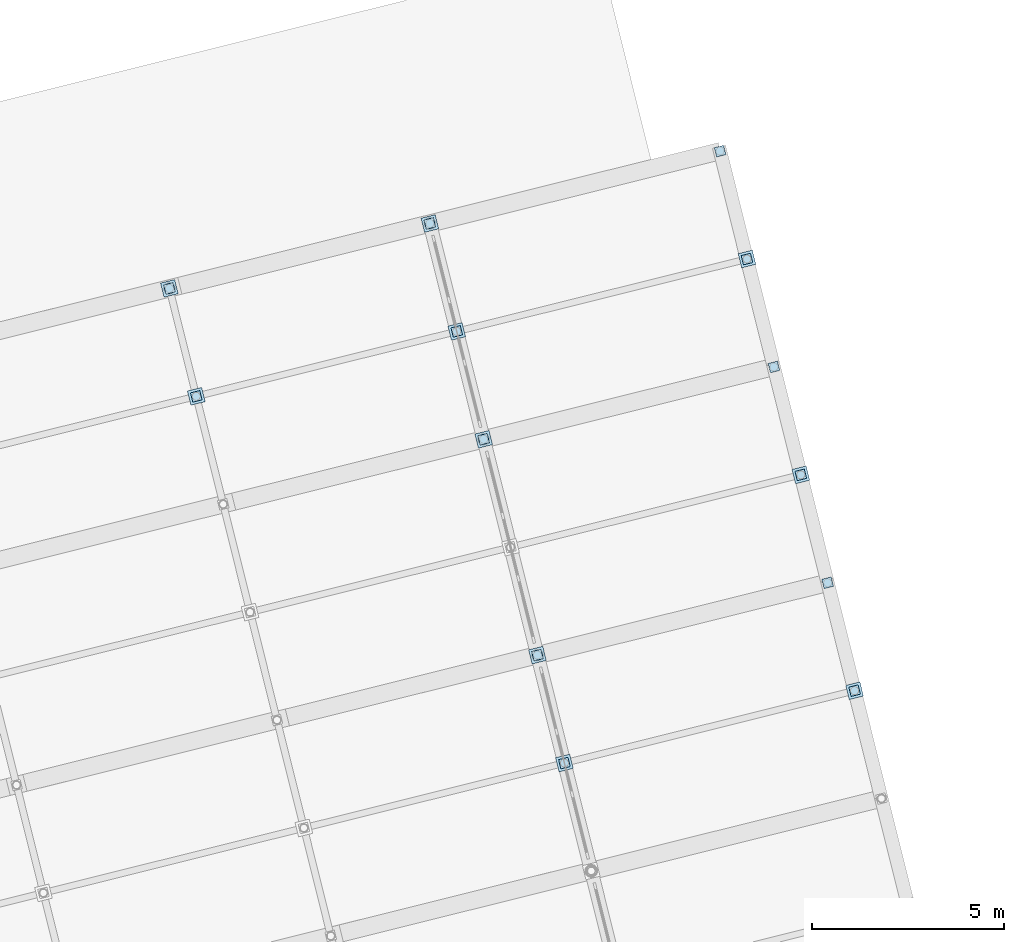
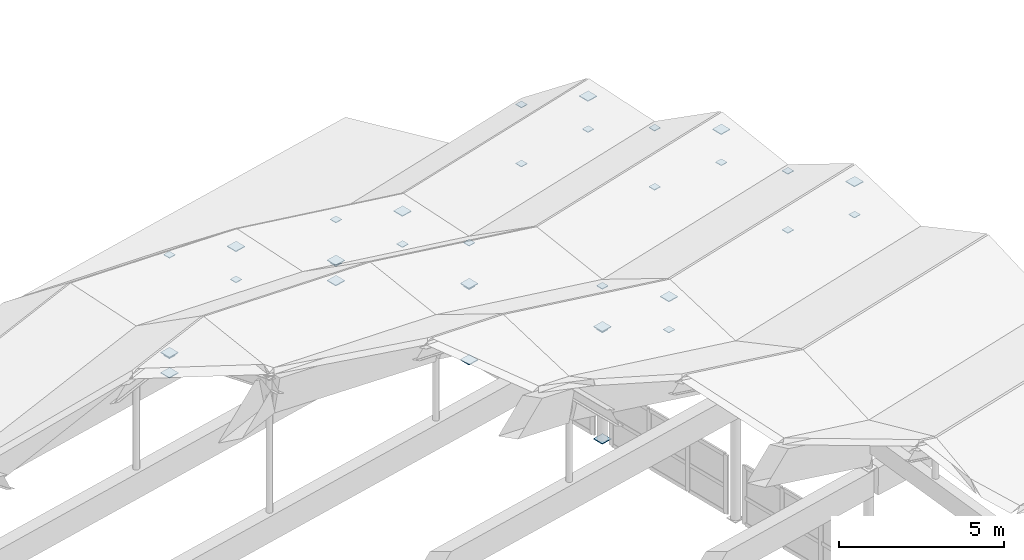
# One storey, part 60 of 65: 34 plates.
"""IFC4 building model written with IfcOpenShell, lengths in metres."""

from ifc_helpers import new_model, si_unit, direction, frame, origin, origin_2d, place, context, subcontext, project, spatial, rectangle, extrude, material, layer, layer_set, type_object, element, save


model = new_model("IFC4")

# Units and contexts
model_context = context("Model", 3, precision=1e-05, world=origin(), true_north=direction((0.0, 1.0)))
body_context = subcontext(model_context, "Body", "Model", "MODEL_VIEW")
ifc_project = project(units=[si_unit("LENGTHUNIT", "METRE"), si_unit("AREAUNIT", "SQUARE_METRE"), si_unit("VOLUMEUNIT", "CUBIC_METRE"), si_unit("PLANEANGLEUNIT", "RADIAN"), si_unit("MASSUNIT", "GRAM", prefix="KILO")], contexts=[model_context])

# Site, building, storey
site_placement = place(None, origin())
site = spatial("IfcSite", under=ifc_project, at=site_placement, CompositionType="ELEMENT")
building_placement = place(site_placement, origin())
building = spatial("IfcBuilding", under=site, at=building_placement, Name="Cinderway Yard Community Centre", CompositionType="ELEMENT")
storey_placement = place(building_placement, frame((0.0, 0.0, 24.300048828125)))
storey = spatial("IfcBuildingStorey", under=building, at=storey_placement, Name="RF", CompositionType="ELEMENT", Elevation=24.300048828125)

# Plates
ifc_material = material(Name="Steel S355", Category="steel")
ifc_layer_1 = layer(ifc_material, 0.02197265625, Name="Steel S355")
ifc_layer_set_1 = layer_set([ifc_layer_1], Name="Steel S355")
plate_type_1 = type_object("IfcPlateType", Name="STR-PLT-CAP240", PredefinedType="SHEET", material=ifc_layer_set_1)
for number, where, z_axis, x_axis, name in (
    (1, (39.9619140625, 60.029052734375, -7.367919921875), (0.0, 0.0, 1.0), (0.970295726276, 0.2419218956, 0.0), "Web base plate 41"),
    (2, (39.9619140625, 60.029052734375, -5.758056640625), (0.0, 0.0, 1.0), (0.970295726276, 0.2419218956, 0.0), "Web top plate 41"),
    (3, (47.530029296875, 61.916015625, -7.488037109375), (0.0, 0.0, 1.0), (0.970295726276, 0.2419218956, 0.0), "Web base plate 42"),
    (4, (47.530029296875, 61.916015625, -5.30810546875), (0.0, 0.0, 1.0), (0.970295726276, 0.2419218956, 0.0), "Web top plate 42"),
    (5, (38.55908203125, 65.656982421875, -8.697021484375), (0.0, 0.0, 1.0), (0.970295726276, 0.2419218956, 0.0), "Web base plate 48"),
    (6, (38.55908203125, 65.656982421875, -7.0869140625), (0.0, 0.0, 1.0), (0.970295726276, 0.2419218956, 0.0), "Web top plate 48"),
    (7, (46.126953125, 67.5439453125, -8.817138671875), (0.0, 0.0, 1.0), (0.970295726276, 0.2419218956, 0.0), "Web base plate 49"),
    (8, (46.126953125, 67.5439453125, -6.636962890625), (0.0, 0.0, 1.0), (0.970295726276, 0.2419218956, 0.0), "Web top plate 49"),
    (9, (30.364013671875, 69.591064453125, -10.760986328125), (0.0, 0.0, 1.0), (0.970295726276, 0.2419218956, 0.0), "Web base plate 54"),
    (10, (30.364013671875, 69.591064453125, -7.051025390625), (0.0, 0.0, 1.0), (0.970295726276, 0.2419218956, 0.0), "Web top plate 54"),
    (11, (37.156005859375, 71.284912109375, -10.760986328125), (0.0, 0.0, 1.0), (0.970295726276, 0.2419218956, 0.0), "Web base plate 55"),
    (12, (37.156005859375, 71.284912109375, -9.151123046875), (0.0, 0.0, 1.0), (0.970295726276, 0.2419218956, 0.0), "Web top plate 55"),
    (13, (44.72412109375, 73.172119140625, -10.881103515625), (0.0, 0.0, 1.0), (0.970295726276, 0.2419218956, 0.0), "Web base plate 56"),
    (14, (44.72412109375, 73.172119140625, -8.700927734375), (0.0, 0.0, 1.0), (0.970295726276, 0.2419218956, 0.0), "Web top plate 56"),
    (15, (40.6640625, 57.215087890625, -5.912109375), (0.0, 0.0, 1.0), (0.970295726276, 0.2419218956, 0.0), "Kingpost base plate B5-U28"),
    (16, (48.23193359375, 59.10205078125, -5.4619140625), (0.0, 0.0, 1.0), (0.970295726276, 0.2419218956, 0.0), "Kingpost base plate B5-U36"),
    (17, (46.8291015625, 64.72998046875, -6.453125), (0.0, 0.0, 1.0), (0.970295726276, 0.2419218956, 0.0), "Kingpost base plate B6-U36"),
    (18, (31.06494140625, 66.777099609375, -6.4990234375), (0.0, 0.0, 1.0), (0.970295726276, 0.2419218956, 0.0), "Kingpost base plate B7-U21"),
    (19, (37.85693359375, 68.470947265625, -8.59912109375), (0.0, 0.0, 1.0), (0.970295726276, 0.2419218956, 0.0), "Kingpost base plate B7-U28"),
    (20, (45.426025390625, 70.35791015625, -8.14892578125), (0.0, 0.0, 1.0), (0.970295726276, 0.2419218956, 0.0), "Kingpost base plate B7-U36"),
):
    element("IfcPlate", number, at=place(storey_placement, frame(where, z_axis=z_axis, x_axis=x_axis)), inside=storey, type_object=plate_type_1, Name=name, PredefinedType="SHEET", context=body_context, shape_type="SweptSolid", body=[
        extrude(rectangle(XDim=0.25, YDim=0.25, at=origin_2d()), origin(), (0.0, 0.0, 1.0), 0.02197265625),
    ])
ifc_layer_2 = layer(ifc_material, 0.028076171875, Name="Steel S355")
ifc_layer_set_2 = layer_set([ifc_layer_2], Name="Steel S355")
plate_type_2 = type_object("IfcPlateType", Name="STR-PLT-CAP360", PredefinedType="SHEET", material=ifc_layer_set_2)
for number, where, z_axis, x_axis, name in (
    (21, (39.9619140625, 60.029052734375, -11.4140625), (0.0, 0.0, 1.0), (0.970295726276, 0.2419218956, 0.0), "Post base cap plate E06"),
    (22, (39.9619140625, 60.029052734375, -7.27099609375), (0.0, 0.0, 1.0), (0.970295726276, 0.2419218956, 0.0), "Post head cap plate E06"),
    (23, (38.55908203125, 65.656982421875, -11.4140625), (0.0, 0.0, 1.0), (0.970295726276, 0.2419218956, 0.0), "Post base cap plate E07"),
    (24, (38.55908203125, 65.656982421875, -8.60009765625), (0.0, 0.0, 1.0), (0.970295726276, 0.2419218956, 0.0), "Post head cap plate E07"),
    (25, (37.156005859375, 71.284912109375, -11.4140625), (0.0, 0.0, 1.0), (0.970295726276, 0.2419218956, 0.0), "Post base cap plate E08"),
    (26, (37.156005859375, 71.284912109375, -10.6640625), (0.0, 0.0, 1.0), (0.970295726276, 0.2419218956, 0.0), "Post head cap plate E08"),
    (27, (40.6640625, 57.215087890625, -4.69921875), (0.0, 0.0, 1.0), (0.970295726276, 0.2419218956, 0.0), "Kingpost cap plate B5-U28"),
    (28, (48.23193359375, 59.10205078125, -4.2490234375), (0.0, 0.0, 1.0), (0.970295726276, 0.2419218956, 0.0), "Kingpost cap plate B5-U36"),
    (29, (46.8291015625, 64.72998046875, -5.240234375), (0.0, 0.0, 1.0), (0.970295726276, 0.2419218956, 0.0), "Kingpost cap plate B6-U36"),
    (30, (31.06494140625, 66.777099609375, -5.2861328125), (0.0, 0.0, 1.0), (0.970295726276, 0.2419218956, 0.0), "Kingpost cap plate B7-U21"),
    (31, (37.85693359375, 68.470947265625, -7.38623046875), (0.0, 0.0, 1.0), (0.970295726276, 0.2419218956, 0.0), "Kingpost cap plate B7-U28"),
    (32, (45.426025390625, 70.35791015625, -6.93603515625), (0.0, 0.0, 1.0), (0.970295726276, 0.2419218956, 0.0), "Kingpost cap plate B7-U36"),
    (33, (30.364013671875, 69.591064453125, -11.4140625), (0.0, 0.0, 1.0), (0.970295726276, 0.2419218956, 0.0), "Arch-end post base NU21"),
    (34, (30.364013671875, 69.591064453125, -10.6640625), (0.0, 0.0, 1.0), (0.970295726276, 0.2419218956, 0.0), "Arch-end post head NU21"),
):
    element("IfcPlate", number, at=place(storey_placement, frame(where, z_axis=z_axis, x_axis=x_axis)), inside=storey, type_object=plate_type_2, Name=name, PredefinedType="SHEET", context=body_context, shape_type="SweptSolid", body=[
        extrude(rectangle(XDim=0.3798828125, YDim=0.3798828125, at=origin_2d()), origin(), (0.0, 0.0, 1.0), 0.028076171875),
    ])

save(model, "model.ifc")
